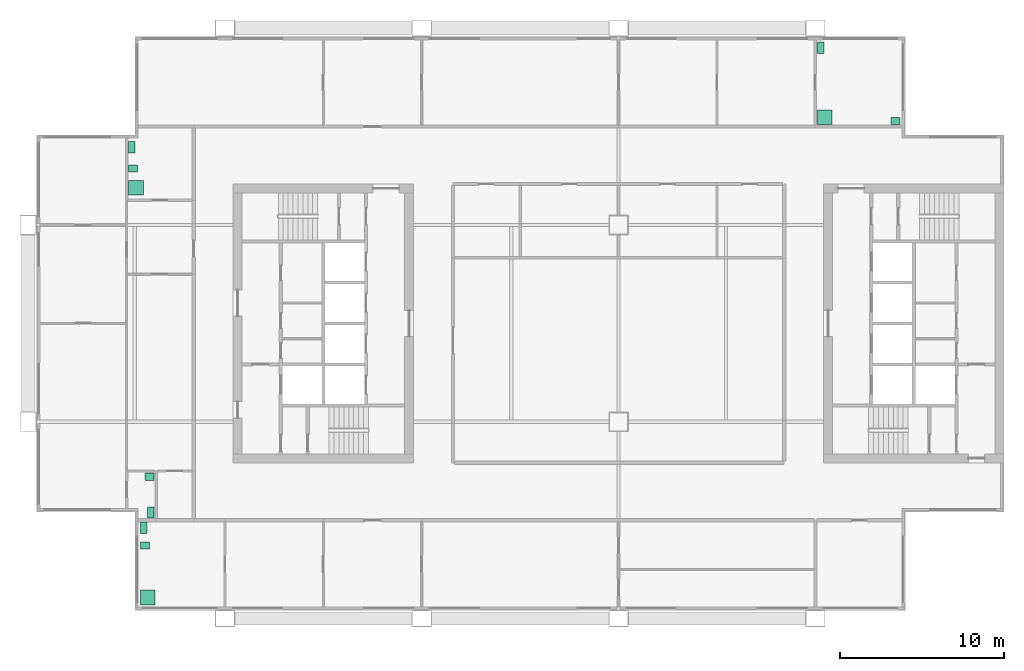
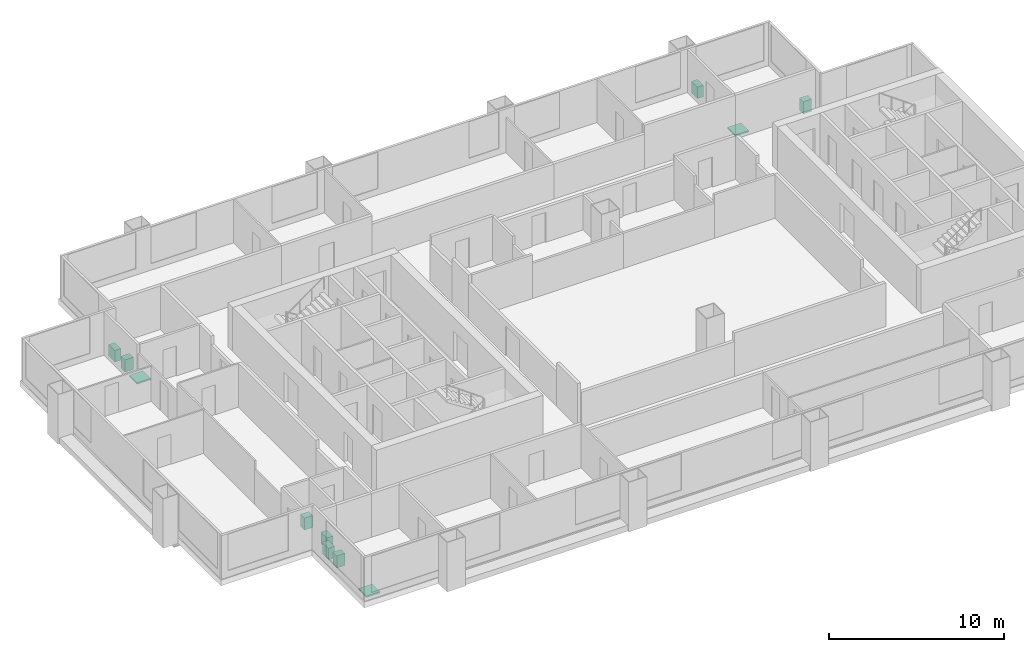
# One storey, part 8 of 8: 11 sanitary terminals.
"""IFC4 building model written with IfcOpenShell, lengths in metres."""

from ifc_helpers import new_model, si_unit, direction, frame, origin, origin_2d, place, context, subcontext, project, spatial, rectangle, extrude, material, type_object, element, save


model = new_model("IFC4")

# Units and contexts
model_context = context("Model", 3, precision=1e-05, world=origin(), true_north=direction((0.0, 1.0)))
body_context = subcontext(model_context, "Body", "Model", "MODEL_VIEW")
ifc_project = project(units=[si_unit("LENGTHUNIT", "METRE"), si_unit("AREAUNIT", "SQUARE_METRE"), si_unit("VOLUMEUNIT", "CUBIC_METRE"), si_unit("PLANEANGLEUNIT", "RADIAN"), si_unit("MASSUNIT", "GRAM", prefix="KILO")], contexts=[model_context])

# Site, building, storey
site_placement = place(None, origin())
site = spatial("IfcSite", under=ifc_project, at=site_placement, CompositionType="ELEMENT")
building_placement = place(site_placement, origin())
building = spatial("IfcBuilding", under=site, at=building_placement, Name="Kitamizu Gate Tower and Museum", CompositionType="ELEMENT")
storey_placement = place(building_placement, frame((0.0, 0.0, 203.10009765625)))
storey = spatial("IfcBuildingStorey", under=building, at=storey_placement, Name="L54", CompositionType="ELEMENT", Elevation=203.10009765625)

# Sanitary terminals
ifc_material_1 = material(Name="Acrylic")
sanitary_terminal_type_1 = type_object("IfcSanitaryTerminalType", Name="Shower tray", PredefinedType="SHOWER", material=ifc_material_1)
for number, where, z_axis, x_axis, name in (
    (1, (7.2900390625, 13.2900390625, 0.000732421875), (0.0, 0.0, 1.0), (1.0, 0.0, 0.0), "Shower tray En-suite bathroom and WC 54A"),
    (2, (48.570068359375, 42.570068359375, 0.000732421875), (0.0, 0.0, 1.0), (1.0, 0.0, 0.0), "Shower tray En-suite bathroom and WC 54C"),
    (3, (6.570068359375, 38.27001953125, 0.000732421875), (0.0, 0.0, 1.0), (1.0, 0.0, 0.0), "Shower tray En-suite bathroom 54D"),
):
    element("IfcSanitaryTerminal", number, at=place(storey_placement, frame(where, z_axis=z_axis, x_axis=x_axis)), inside=storey, type_object=sanitary_terminal_type_1, Name=name, PredefinedType="SHOWER", context=body_context, shape_type="SweptSolid", body=[
        extrude(rectangle(XDim=0.89990234375, YDim=0.89990234375, at=origin_2d()), origin(), (0.0, 0.0, 1.0), 0.10009765625),
    ])
ifc_material_2 = material(Name="Vitreous china")
sanitary_terminal_type_2 = type_object("IfcSanitaryTerminalType", Name="Wash hand basin", PredefinedType="WASHHANDBASIN", material=ifc_material_2)
for number, where, z_axis, x_axis, name in (
    (4, (7.114990234375, 16.455078125, 0.000732421875), (0.0, 0.0, 1.0), (1.0, 0.0, 0.0), "Wash hand basin En-suite bathroom and WC 54A"),
    (5, (52.885009765625, 42.344970703125, 0.000732421875), (0.0, 0.0, 1.0), (1.0, 0.0, 0.0), "Wash hand basin En-suite bathroom and WC 54C"),
    (6, (7.405029296875, 20.655029296875, 0.000732421875), (0.0, 0.0, 1.0), (1.0, 0.0, 0.0), "Wash hand basin WC 54D"),
    (7, (6.39501953125, 39.445068359375, 0.000732421875), (0.0, 0.0, 1.0), (1.0, 0.0, 0.0), "Wash hand basin En-suite bathroom 54D"),
):
    element("IfcSanitaryTerminal", number, at=place(storey_placement, frame(where, z_axis=z_axis, x_axis=x_axis)), inside=storey, type_object=sanitary_terminal_type_2, Name=name, PredefinedType="WASHHANDBASIN", context=body_context, shape_type="SweptSolid", body=[
        extrude(rectangle(XDim=0.550048828125, YDim=0.449951171875, at=origin_2d()), origin(), (0.0, 0.0, 1.0), 0.85009765625),
    ])
ifc_material_3 = material(Name="Vitreous china")
sanitary_terminal_type_3 = type_object("IfcSanitaryTerminalType", Name="Water closet", PredefinedType="TOILETPAN", material=ifc_material_3)
for number, where, z_axis, x_axis, name in (
    (8, (7.0400390625, 17.530029296875, 0.0009765625), (0.0, 0.0, 1.0), (1.0, 0.0, 0.0), "Water closet En-suite bathroom and WC 54A"),
    (9, (48.320068359375, 46.81005859375, 0.0009765625), (0.0, 0.0, 1.0), (1.0, 0.0, 0.0), "Water closet En-suite bathroom and WC 54C"),
    (10, (7.47998046875, 18.469970703125, 0.0009765625), (0.0, 0.0, 1.0), (1.0, 0.0, 0.0), "Water closet WC 54D"),
    (11, (6.320068359375, 40.72998046875, 0.0009765625), (0.0, 0.0, 1.0), (1.0, 0.0, 0.0), "Water closet En-suite bathroom 54D"),
):
    element("IfcSanitaryTerminal", number, at=place(storey_placement, frame(where, z_axis=z_axis, x_axis=x_axis)), inside=storey, type_object=sanitary_terminal_type_3, Name=name, PredefinedType="TOILETPAN", context=body_context, shape_type="SweptSolid", body=[
        extrude(rectangle(XDim=0.39990234375, YDim=0.699951171875, at=origin_2d()), origin(), (0.0, 0.0, 1.0), 0.800048828125),
    ])

save(model, "model.ifc")
